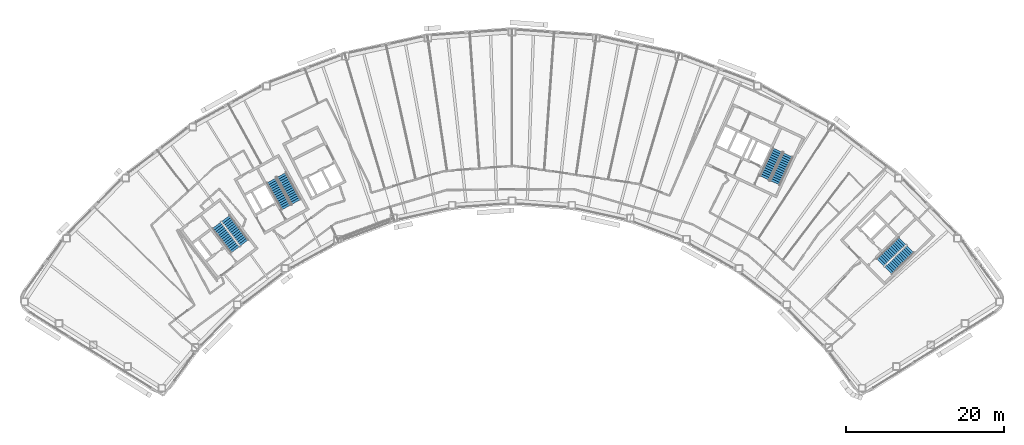
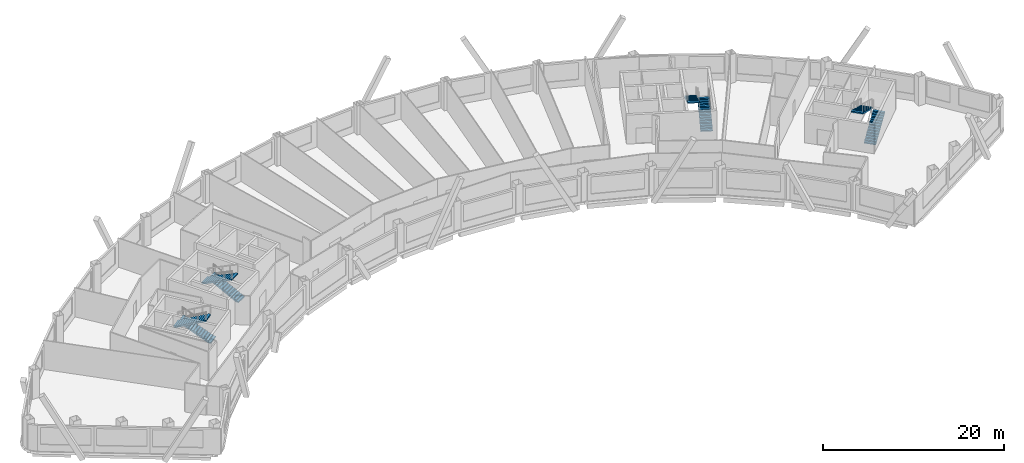
# One storey, part 11 of 13: 8 stair flights, 4 elements without a shape of their own.
"""IFC4 building model written with IfcOpenShell, lengths in metres."""

from ifc_helpers import new_model, si_unit, direction, frame, origin, place, context, subcontext, project, spatial, polyline, outline, extrude, material, type_object, element, aggregate, save


model = new_model("IFC4")

# Units and contexts
model_context = context("Model", 3, precision=1e-05, world=origin(), true_north=direction((0.0, 1.0)))
body_context = subcontext(model_context, "Body", "Model", "MODEL_VIEW")
ifc_project = project(units=[si_unit("LENGTHUNIT", "METRE"), si_unit("AREAUNIT", "SQUARE_METRE"), si_unit("VOLUMEUNIT", "CUBIC_METRE"), si_unit("PLANEANGLEUNIT", "RADIAN"), si_unit("MASSUNIT", "GRAM", prefix="KILO")], contexts=[model_context])

# Site, building, storey
site_placement = place(None, origin())
site = spatial("IfcSite", under=ifc_project, at=site_placement, CompositionType="ELEMENT")
building_placement = place(site_placement, origin())
building = spatial("IfcBuilding", under=site, at=building_placement, Name="Tuul Gate Civic Tower", CompositionType="ELEMENT")
storey_placement = place(building_placement, frame((0.0, 0.0, 180.5)))
storey = spatial("IfcBuildingStorey", under=building, at=storey_placement, Name="Level 41", CompositionType="ELEMENT", Elevation=180.5)

# Stair, stair flights
ifc_material_1 = material(Name="Concrete C40/50", Category="concrete")
stair_type = type_object("IfcStairType", Name="Exit stair", PredefinedType="HALF_TURN_STAIR", material=ifc_material_1)
stair_1_placement = place(storey_placement, origin())
stair_1 = element("IfcStair", 1, at=stair_1_placement, inside=storey, type_object=stair_type, Name="Level 41 ST-1", PredefinedType="HALF_TURN_STAIR")
ifc_material_2 = material(Name="Concrete C40/50", Category="concrete")
stair_flight_type = type_object("IfcStairFlightType", Name="Exit stair flight", PredefinedType="STRAIGHT", material=ifc_material_2)
stair_flight_1_placement = place(storey_placement, frame((-32.875244140625, -13.066650390625, 0.0), z_axis=(0.0, 0.0, 1.0), x_axis=(-0.605764474941, 0.795644016442, 0.0)))
stair_flight_1 = element("IfcStairFlight", 2, at=stair_flight_1_placement, type_object=stair_flight_type, Name="ST-1 flight 1", NumberOfRisers=14, NumberOfTreads=13, PredefinedType="STRAIGHT", RiserHeight=0.15, TreadLength=0.3, context=body_context, shape_type="SweptSolid", body=[
    extrude(outline(polyline([(0.0, 0.0), (0.0, 0.14990234375), (0.300048828125, 0.14990234375), (0.300048828125, 0.300048828125), (0.60009765625, 0.300048828125), (0.60009765625, 0.449951171875), (0.89990234375, 0.449951171875), (0.89990234375, 0.60009765625), (1.199951171875, 0.60009765625), (1.199951171875, 0.75), (1.5, 0.75), (1.5, 0.89990234375), (1.800048828125, 0.89990234375), (1.800048828125, 1.050048828125), (2.10009765625, 1.050048828125), (2.10009765625, 1.199951171875), (2.39990234375, 1.199951171875), (2.39990234375, 1.35009765625), (2.699951171875, 1.35009765625), (2.699951171875, 1.5), (3.0, 1.5), (3.0, 1.64990234375), (3.300048828125, 1.64990234375), (3.300048828125, 1.800048828125), (3.60009765625, 1.800048828125), (3.60009765625, 1.949951171875), (3.89990234375, 1.949951171875), (3.89990234375, 2.10009765625), (3.89990234375, 1.782470703125), (0.335205078125, 0.0), (0.0, 0.0)])), frame((0.0, 0.675048828125, 0.0), z_axis=(0.0, -1.0, 0.0), x_axis=(1.0, 0.0, 0.0)), (0.0, 0.0, 1.0), 1.35009765625),
])
stair_flight_2_placement = place(storey_placement, frame((-36.391357421875, -10.842041015625, 2.10009765625), z_axis=(0.0, 0.0, 1.0), x_axis=(0.605764474941, -0.795644016442, 0.0)))
stair_flight_2 = element("IfcStairFlight", 3, at=stair_flight_2_placement, type_object=stair_flight_type, Name="ST-1 flight 2", NumberOfRisers=14, NumberOfTreads=13, PredefinedType="STRAIGHT", RiserHeight=0.15, TreadLength=0.3, context=body_context, shape_type="SweptSolid", body=[
    extrude(outline(polyline([(0.0, 0.0), (0.0, 0.14990234375), (0.300048828125, 0.14990234375), (0.300048828125, 0.300048828125), (0.60009765625, 0.300048828125), (0.60009765625, 0.449951171875), (0.89990234375, 0.449951171875), (0.89990234375, 0.60009765625), (1.199951171875, 0.60009765625), (1.199951171875, 0.75), (1.5, 0.75), (1.5, 0.89990234375), (1.800048828125, 0.89990234375), (1.800048828125, 1.050048828125), (2.10009765625, 1.050048828125), (2.10009765625, 1.199951171875), (2.39990234375, 1.199951171875), (2.39990234375, 1.35009765625), (2.699951171875, 1.35009765625), (2.699951171875, 1.5), (3.0, 1.5), (3.0, 1.64990234375), (3.300048828125, 1.64990234375), (3.300048828125, 1.800048828125), (3.60009765625, 1.800048828125), (3.60009765625, 1.949951171875), (3.89990234375, 1.949951171875), (3.89990234375, 2.10009765625), (3.89990234375, 1.782470703125), (0.335205078125, 0.0), (0.0, 0.0)])), frame((0.0, 0.675048828125, 0.0), z_axis=(0.0, -1.0, 0.0), x_axis=(1.0, 0.0, 0.0)), (0.0, 0.0, 1.0), 1.35009765625),
])
aggregate(stair_1, [stair_flight_1, stair_flight_2])

stair_2_placement = place(storey_placement, origin())
stair_2 = element("IfcStair", 4, at=stair_2_placement, inside=storey, type_object=stair_type, Name="Level 41 ST-2", PredefinedType="HALF_TURN_STAIR")
stair_flight_3_placement = place(storey_placement, frame((-26.29150390625, -7.87646484375, 0.0), z_axis=(0.0, 0.0, 1.0), x_axis=(-0.484761763766, 0.874646232708, 0.0)))
stair_flight_3 = element("IfcStairFlight", 5, at=stair_flight_3_placement, type_object=stair_flight_type, Name="ST-2 flight 1", NumberOfRisers=14, NumberOfTreads=13, PredefinedType="STRAIGHT", RiserHeight=0.15, TreadLength=0.3, context=body_context, shape_type="SweptSolid", body=[
    extrude(outline(polyline([(0.0, 0.0), (0.0, 0.14990234375), (0.300048828125, 0.14990234375), (0.300048828125, 0.300048828125), (0.60009765625, 0.300048828125), (0.60009765625, 0.449951171875), (0.89990234375, 0.449951171875), (0.89990234375, 0.60009765625), (1.199951171875, 0.60009765625), (1.199951171875, 0.75), (1.5, 0.75), (1.5, 0.89990234375), (1.800048828125, 0.89990234375), (1.800048828125, 1.050048828125), (2.10009765625, 1.050048828125), (2.10009765625, 1.199951171875), (2.39990234375, 1.199951171875), (2.39990234375, 1.35009765625), (2.699951171875, 1.35009765625), (2.699951171875, 1.5), (3.0, 1.5), (3.0, 1.64990234375), (3.300048828125, 1.64990234375), (3.300048828125, 1.800048828125), (3.60009765625, 1.800048828125), (3.60009765625, 1.949951171875), (3.89990234375, 1.949951171875), (3.89990234375, 2.10009765625), (3.89990234375, 1.782470703125), (0.335205078125, 0.0), (0.0, 0.0)])), frame((0.0, 0.675048828125, 0.0), z_axis=(0.0, -1.0, 0.0), x_axis=(1.0, 0.0, 0.0)), (0.0, 0.0, 1.0), 1.35009765625),
])
stair_flight_4_placement = place(storey_placement, frame((-29.450439453125, -5.168212890625, 2.10009765625), z_axis=(0.0, 0.0, 1.0), x_axis=(0.484761763766, -0.874646232708, 0.0)))
stair_flight_4 = element("IfcStairFlight", 6, at=stair_flight_4_placement, type_object=stair_flight_type, Name="ST-2 flight 2", NumberOfRisers=14, NumberOfTreads=13, PredefinedType="STRAIGHT", RiserHeight=0.15, TreadLength=0.3, context=body_context, shape_type="SweptSolid", body=[
    extrude(outline(polyline([(0.0, 0.0), (0.0, 0.14990234375), (0.300048828125, 0.14990234375), (0.300048828125, 0.300048828125), (0.60009765625, 0.300048828125), (0.60009765625, 0.449951171875), (0.89990234375, 0.449951171875), (0.89990234375, 0.60009765625), (1.199951171875, 0.60009765625), (1.199951171875, 0.75), (1.5, 0.75), (1.5, 0.89990234375), (1.800048828125, 0.89990234375), (1.800048828125, 1.050048828125), (2.10009765625, 1.050048828125), (2.10009765625, 1.199951171875), (2.39990234375, 1.199951171875), (2.39990234375, 1.35009765625), (2.699951171875, 1.35009765625), (2.699951171875, 1.5), (3.0, 1.5), (3.0, 1.64990234375), (3.300048828125, 1.64990234375), (3.300048828125, 1.800048828125), (3.60009765625, 1.800048828125), (3.60009765625, 1.949951171875), (3.89990234375, 1.949951171875), (3.89990234375, 2.10009765625), (3.89990234375, 1.782470703125), (0.335205078125, 0.0), (0.0, 0.0)])), frame((0.0, 0.675048828125, 0.0), z_axis=(0.0, -1.0, 0.0), x_axis=(1.0, 0.0, 0.0)), (0.0, 0.0, 1.0), 1.35009765625),
])
aggregate(stair_2, [stair_flight_3, stair_flight_4])

stair_3_placement = place(storey_placement, origin())
stair_3 = element("IfcStair", 7, at=stair_3_placement, inside=storey, type_object=stair_type, Name="Level 41 ST-3", PredefinedType="HALF_TURN_STAIR")
stair_flight_5_placement = place(storey_placement, frame((48.61376953125, -16.581787109375, 0.0), z_axis=(0.0, 0.0, 1.0), x_axis=(0.714127290059, 0.700015866672, 0.0)))
stair_flight_5 = element("IfcStairFlight", 8, at=stair_flight_5_placement, type_object=stair_flight_type, Name="ST-3 flight 1", NumberOfRisers=14, NumberOfTreads=13, PredefinedType="STRAIGHT", RiserHeight=0.15, TreadLength=0.3, context=body_context, shape_type="SweptSolid", body=[
    extrude(outline(polyline([(0.0, 0.0), (0.0, 0.14990234375), (0.300048828125, 0.14990234375), (0.300048828125, 0.300048828125), (0.60009765625, 0.300048828125), (0.60009765625, 0.449951171875), (0.89990234375, 0.449951171875), (0.89990234375, 0.60009765625), (1.199951171875, 0.60009765625), (1.199951171875, 0.75), (1.5, 0.75), (1.5, 0.89990234375), (1.800048828125, 0.89990234375), (1.800048828125, 1.050048828125), (2.10009765625, 1.050048828125), (2.10009765625, 1.199951171875), (2.39990234375, 1.199951171875), (2.39990234375, 1.35009765625), (2.699951171875, 1.35009765625), (2.699951171875, 1.5), (3.0, 1.5), (3.0, 1.64990234375), (3.300048828125, 1.64990234375), (3.300048828125, 1.800048828125), (3.60009765625, 1.800048828125), (3.60009765625, 1.949951171875), (3.89990234375, 1.949951171875), (3.89990234375, 2.10009765625), (3.89990234375, 1.782470703125), (0.335205078125, 0.0), (0.0, 0.0)])), frame((0.0, 0.675048828125, 0.0), z_axis=(0.0, -1.0, 0.0), x_axis=(1.0, 0.0, 0.0)), (0.0, 0.0, 1.0), 1.35009765625),
])
stair_flight_6_placement = place(storey_placement, frame((50.3837890625, -12.816162109375, 2.10009765625), z_axis=(0.0, 0.0, 1.0), x_axis=(-0.714127290059, -0.700015866672, 0.0)))
stair_flight_6 = element("IfcStairFlight", 9, at=stair_flight_6_placement, type_object=stair_flight_type, Name="ST-3 flight 2", NumberOfRisers=14, NumberOfTreads=13, PredefinedType="STRAIGHT", RiserHeight=0.15, TreadLength=0.3, context=body_context, shape_type="SweptSolid", body=[
    extrude(outline(polyline([(0.0, 0.0), (0.0, 0.14990234375), (0.300048828125, 0.14990234375), (0.300048828125, 0.300048828125), (0.60009765625, 0.300048828125), (0.60009765625, 0.449951171875), (0.89990234375, 0.449951171875), (0.89990234375, 0.60009765625), (1.199951171875, 0.60009765625), (1.199951171875, 0.75), (1.5, 0.75), (1.5, 0.89990234375), (1.800048828125, 0.89990234375), (1.800048828125, 1.050048828125), (2.10009765625, 1.050048828125), (2.10009765625, 1.199951171875), (2.39990234375, 1.199951171875), (2.39990234375, 1.35009765625), (2.699951171875, 1.35009765625), (2.699951171875, 1.5), (3.0, 1.5), (3.0, 1.64990234375), (3.300048828125, 1.64990234375), (3.300048828125, 1.800048828125), (3.60009765625, 1.800048828125), (3.60009765625, 1.949951171875), (3.89990234375, 1.949951171875), (3.89990234375, 2.10009765625), (3.89990234375, 1.782470703125), (0.335205078125, 0.0), (0.0, 0.0)])), frame((0.0, 0.675048828125, 0.0), z_axis=(0.0, -1.0, 0.0), x_axis=(1.0, 0.0, 0.0)), (0.0, 0.0, 1.0), 1.35009765625),
])
aggregate(stair_3, [stair_flight_5, stair_flight_6])

stair_4_placement = place(storey_placement, origin())
stair_4 = element("IfcStair", 10, at=stair_4_placement, inside=storey, type_object=stair_type, Name="Level 41 ST-4", PredefinedType="HALF_TURN_STAIR")
stair_flight_7_placement = place(storey_placement, frame((34.278564453125, -5.478515625, 0.0), z_axis=(0.0, 0.0, 1.0), x_axis=(0.422576295988, 0.906327354806, 0.0)))
stair_flight_7 = element("IfcStairFlight", 11, at=stair_flight_7_placement, type_object=stair_flight_type, Name="ST-4 flight 1", NumberOfRisers=14, NumberOfTreads=13, PredefinedType="STRAIGHT", RiserHeight=0.15, TreadLength=0.3, context=body_context, shape_type="SweptSolid", body=[
    extrude(outline(polyline([(0.0, 0.0), (0.0, 0.14990234375), (0.300048828125, 0.14990234375), (0.300048828125, 0.300048828125), (0.60009765625, 0.300048828125), (0.60009765625, 0.449951171875), (0.89990234375, 0.449951171875), (0.89990234375, 0.60009765625), (1.199951171875, 0.60009765625), (1.199951171875, 0.75), (1.5, 0.75), (1.5, 0.89990234375), (1.800048828125, 0.89990234375), (1.800048828125, 1.050048828125), (2.10009765625, 1.050048828125), (2.10009765625, 1.199951171875), (2.39990234375, 1.199951171875), (2.39990234375, 1.35009765625), (2.699951171875, 1.35009765625), (2.699951171875, 1.5), (3.0, 1.5), (3.0, 1.64990234375), (3.300048828125, 1.64990234375), (3.300048828125, 1.800048828125), (3.60009765625, 1.800048828125), (3.60009765625, 1.949951171875), (3.89990234375, 1.949951171875), (3.89990234375, 2.10009765625), (3.89990234375, 1.782470703125), (0.335205078125, 0.0), (0.0, 0.0)])), frame((0.0, 0.675048828125, 0.0), z_axis=(0.0, -1.0, 0.0), x_axis=(1.0, 0.0, 0.0)), (0.0, 0.0, 1.0), 1.35009765625),
])
stair_flight_8_placement = place(storey_placement, frame((34.612548828125, -1.3310546875, 2.10009765625), z_axis=(0.0, 0.0, 1.0), x_axis=(-0.422576295988, -0.906327354806, 0.0)))
stair_flight_8 = element("IfcStairFlight", 12, at=stair_flight_8_placement, type_object=stair_flight_type, Name="ST-4 flight 2", NumberOfRisers=14, NumberOfTreads=13, PredefinedType="STRAIGHT", RiserHeight=0.15, TreadLength=0.3, context=body_context, shape_type="SweptSolid", body=[
    extrude(outline(polyline([(0.0, 0.0), (0.0, 0.14990234375), (0.300048828125, 0.14990234375), (0.300048828125, 0.300048828125), (0.60009765625, 0.300048828125), (0.60009765625, 0.449951171875), (0.89990234375, 0.449951171875), (0.89990234375, 0.60009765625), (1.199951171875, 0.60009765625), (1.199951171875, 0.75), (1.5, 0.75), (1.5, 0.89990234375), (1.800048828125, 0.89990234375), (1.800048828125, 1.050048828125), (2.10009765625, 1.050048828125), (2.10009765625, 1.199951171875), (2.39990234375, 1.199951171875), (2.39990234375, 1.35009765625), (2.699951171875, 1.35009765625), (2.699951171875, 1.5), (3.0, 1.5), (3.0, 1.64990234375), (3.300048828125, 1.64990234375), (3.300048828125, 1.800048828125), (3.60009765625, 1.800048828125), (3.60009765625, 1.949951171875), (3.89990234375, 1.949951171875), (3.89990234375, 2.10009765625), (3.89990234375, 1.782470703125), (0.335205078125, 0.0), (0.0, 0.0)])), frame((0.0, 0.675048828125, 0.0), z_axis=(0.0, -1.0, 0.0), x_axis=(1.0, 0.0, 0.0)), (0.0, 0.0, 1.0), 1.35009765625),
])
aggregate(stair_4, [stair_flight_7, stair_flight_8])

save(model, "model.ifc")
